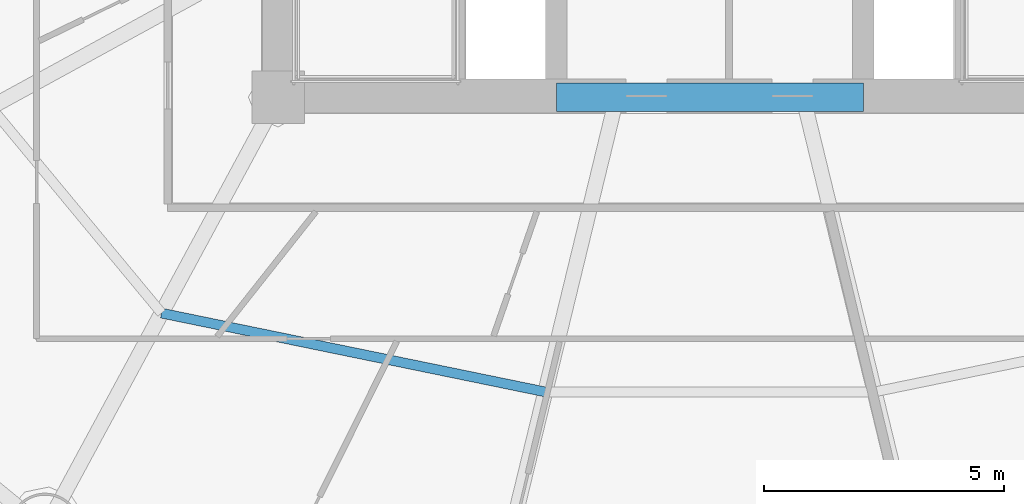
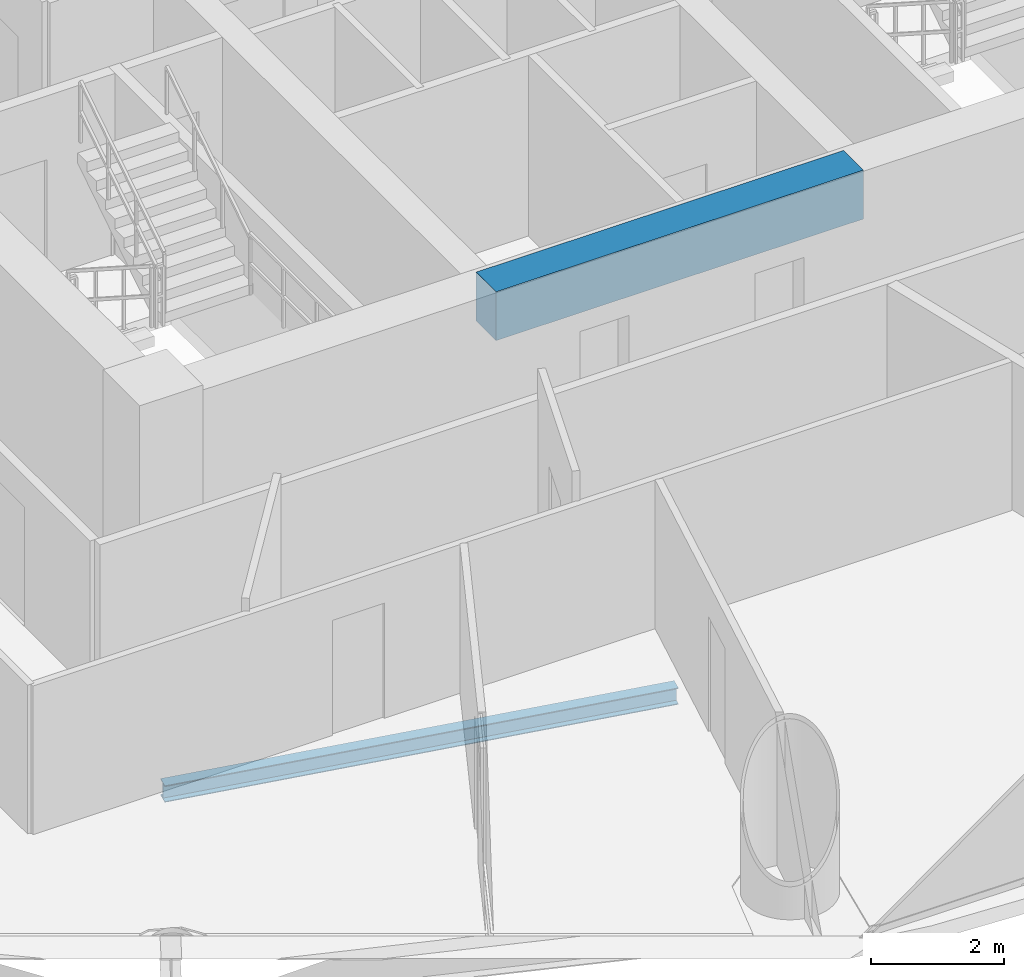
# One storey, part 6 of 29: 2 beams.
"""IFC4 building model written with IfcOpenShell, lengths in metres."""

from ifc_helpers import new_model, si_unit, direction, frame, origin, origin_2d, place, context, subcontext, project, spatial, rectangle, i_section, extrude, material, material_profile, profile_set, type_object, element, save


model = new_model("IFC4")

# Units and contexts
model_context = context("Model", 3, precision=1e-05, world=origin(), true_north=direction((-0.2419218956, 0.970295726276)))
body_context = subcontext(model_context, "Body", "Model", "MODEL_VIEW")
ifc_project = project(units=[si_unit("LENGTHUNIT", "METRE"), si_unit("AREAUNIT", "SQUARE_METRE"), si_unit("VOLUMEUNIT", "CUBIC_METRE"), si_unit("PLANEANGLEUNIT", "RADIAN"), si_unit("MASSUNIT", "GRAM", prefix="KILO")], contexts=[model_context])

# Site, building, storey
site_placement = place(None, origin())
site = spatial("IfcSite", under=ifc_project, at=site_placement, CompositionType="ELEMENT")
building_placement = place(site_placement, origin())
building = spatial("IfcBuilding", under=site, at=building_placement, Name="Cobrevalo Terracotta Tower", CompositionType="ELEMENT")
storey_placement = place(building_placement, frame((0.0, 0.0, 79.800048828125)))
storey = spatial("IfcBuildingStorey", under=building, at=storey_placement, Name="L20", CompositionType="ELEMENT", Elevation=79.800048828125)

# Beams
ifc_material_1 = material(Name="Concrete C60", Category="concrete")
ifc_material_profile_1 = material_profile(ifc_material_1, rectangle(XDim=0.60009765625, YDim=0.89990234375, at=origin_2d()), Name="RC CB 600x900")
ifc_profile_set_1 = profile_set([ifc_material_profile_1], Name="Concrete C60")
beam_type_1 = type_object("IfcBeamType", Name="Structural Beam RC CB 600x900 (Concrete C60)", PredefinedType="BEAM", material=ifc_profile_set_1)
beam_1_placement = place(storey_placement, frame((34.800048828125, 18.800048828125, 2.875), z_axis=(1.0, 0.0, 0.0), x_axis=(0.0, 1.0, 0.0)))
element("IfcBeam", 1, at=beam_1_placement, inside=storey, type_object=beam_type_1, Name="L20 core coupling beam 1", PredefinedType="BEAM", context=body_context, shape_type="SweptSolid", body=[
    extrude(rectangle(XDim=0.60009765625, YDim=0.89990234375, at=origin_2d()), origin(), (0.0, 0.0, 1.0), 6.39990234375),
])
ifc_material_2 = material(Name="Steel S355", Category="steel")
ifc_material_profile_2 = material_profile(ifc_material_2, i_section(OverallWidth=0.2041015625, OverallDepth=0.305908203125, WebThickness=0.008544921875, FlangeThickness=0.0146484375, at=origin_2d()), Name="W 310x67")
ifc_profile_set_2 = profile_set([ifc_material_profile_2], Name="Steel S355")
beam_type_2 = type_object("IfcBeamType", Name="Structural Joist W 310x67 (Steel S355)", PredefinedType="JOIST", material=ifc_profile_set_2)
beam_2_placement = place(storey_placement, frame((26.5693359375, 14.29833984375, -0.427978515625), z_axis=(0.979574469315, -0.201081722357, 0.0), x_axis=(0.201081722357, 0.979574469315, 0.0)))
element("IfcBeam", 2, at=beam_2_placement, inside=storey, type_object=beam_type_2, Name="L20 circumferential secondary floor joist 11", PredefinedType="JOIST", context=body_context, shape_type="SweptSolid", body=[
    extrude(i_section(OverallWidth=0.2041015625, OverallDepth=0.305908203125, WebThickness=0.008544921875, FlangeThickness=0.0146484375, at=origin_2d()), origin(), (0.0, 0.0, 1.0), 8.1650390625),
])

save(model, "model.ifc")
